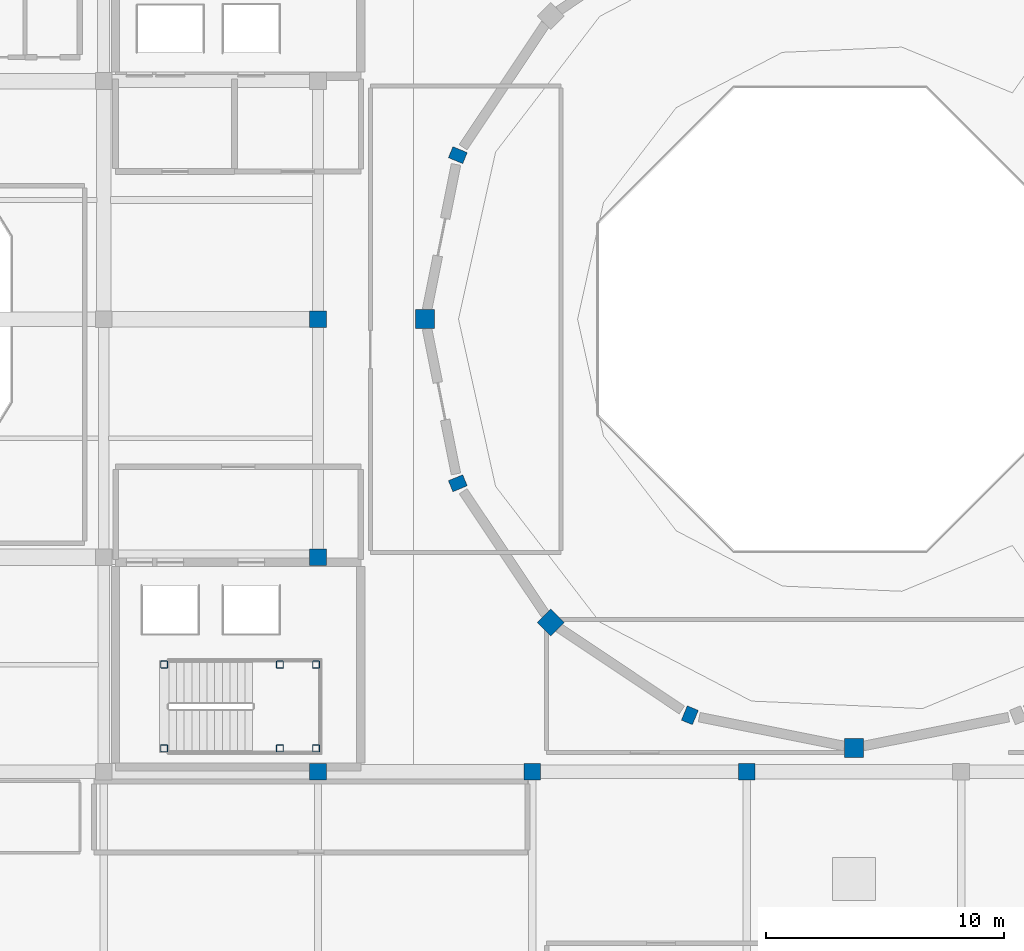
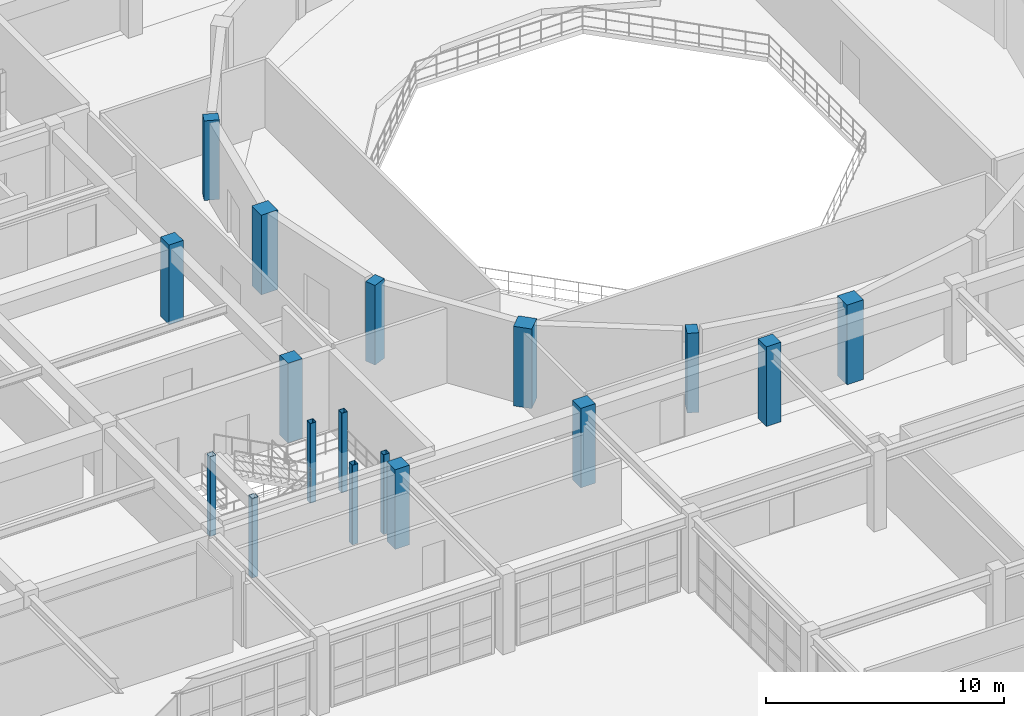
# One storey, part 2 of 110: 17 columns.
"""IFC4 building model written with IfcOpenShell, lengths in metres."""

from ifc_helpers import new_model, si_unit, direction, frame, origin, origin_2d, place, context, subcontext, project, spatial, rectangle, hollow_rectangle, extrude, material, material_profile, profile_set, type_object, element, save


model = new_model("IFC4")

# Units and contexts
model_context = context("Model", 3, precision=1e-05, world=origin(), true_north=direction((0.0, 1.0)))
body_context = subcontext(model_context, "Body", "Model", "MODEL_VIEW")
ifc_project = project(units=[si_unit("LENGTHUNIT", "METRE"), si_unit("AREAUNIT", "SQUARE_METRE"), si_unit("VOLUMEUNIT", "CUBIC_METRE"), si_unit("PLANEANGLEUNIT", "RADIAN"), si_unit("MASSUNIT", "GRAM", prefix="KILO")], contexts=[model_context])

# Site, building, storey
site_placement = place(None, origin())
site = spatial("IfcSite", under=ifc_project, at=site_placement, CompositionType="ELEMENT")
building_placement = place(site_placement, origin())
building = spatial("IfcBuilding", under=site, at=building_placement, Name="Miravela Opera House", CompositionType="ELEMENT")
storey_placement = place(building_placement, frame((0.0, 0.0, 13.60009765625)))
storey = spatial("IfcBuildingStorey", under=building, at=storey_placement, Name="L03", CompositionType="ELEMENT", Elevation=13.60009765625)

# Columns
ifc_material_1 = material(Name="Hollow structural steel ASTM A500 Gr. C", Category="steel")
ifc_material_profile_1 = material_profile(ifc_material_1, hollow_rectangle(XDim=0.300048828125, YDim=0.300048828125, WallThickness=0.01611328125, InnerFilletRadius=0.01611328125, OuterFilletRadius=0.031982421875, at=origin_2d()), Name="HSS300X300X16")
ifc_profile_set_1 = profile_set([ifc_material_profile_1])
column_type_1 = type_object("IfcColumnType", Name="STR-COL-HSS300", PredefinedType="COLUMN", material=ifc_profile_set_1)
for number, where, z_axis, x_axis, name in (
    (1, (47.5400390625, 37.97998046875, 0.0), (0.0, 0.0, 1.0), (1.0, 0.0, 0.0), "Stair K2 Landing Support Column 1 (L03)"),
    (2, (47.5400390625, 41.5, 0.0), (0.0, 0.0, 1.0), (1.0, 0.0, 0.0), "Stair K2 Landing Support Column 2 (L03)"),
    (3, (52.39990234375, 37.97998046875, 0.0), (0.0, 0.0, 1.0), (1.0, 0.0, 0.0), "Stair K2 Landing Support Column 3 (L03)"),
    (4, (52.39990234375, 41.5, 0.0), (0.0, 0.0, 1.0), (1.0, 0.0, 0.0), "Stair K2 Landing Support Column 4 (L03)"),
    (5, (53.919921875, 37.97998046875, 0.0), (0.0, 0.0, 1.0), (1.0, 0.0, 0.0), "Stair K2 Landing Support Column 5 (L03)"),
    (6, (53.919921875, 41.5, 0.0), (0.0, 0.0, 1.0), (1.0, 0.0, 0.0), "Stair K2 Landing Support Column 6 (L03)"),
):
    element("IfcColumn", number, at=place(storey_placement, frame(where, z_axis=z_axis, x_axis=x_axis)), inside=storey, type_object=column_type_1, Name=name, PredefinedType="COLUMN", context=body_context, shape_type="SweptSolid", body=[
        extrude(hollow_rectangle(XDim=0.300048828125, YDim=0.300048828125, WallThickness=0.01611328125, InnerFilletRadius=0.01611328125, OuterFilletRadius=0.031982421875, at=origin_2d()), origin(), (0.0, 0.0, 1.0), 4.079833984375),
    ])
ifc_material_2 = material(Name="Concrete C35/45", Category="concrete")
ifc_material_profile_2 = material_profile(ifc_material_2, rectangle(XDim=0.699951171875, YDim=0.699951171875, at=origin_2d()), Name="RC-COL-700X700")
ifc_profile_set_2 = profile_set([ifc_material_profile_2])
column_type_2 = type_object("IfcColumnType", Name="STR-COL-RC700", PredefinedType="COLUMN", material=ifc_profile_set_2)
for number, where, z_axis, x_axis, name in (
    (7, (54.0, 37.0, 0.0), (0.0, 0.0, 1.0), (1.0, 0.0, 0.0), "Column C-7E (L03)"),
    (8, (54.0, 46.0, 0.0), (0.0, 0.0, 1.0), (1.0, 0.0, 0.0), "Column C-7F (L03)"),
    (9, (54.0, 56.0, 0.0), (0.0, 0.0, 1.0), (1.0, 0.0, 0.0), "Column C-7G (L03)"),
    (10, (63.0, 37.0, 0.0), (0.0, 0.0, 1.0), (1.0, 0.0, 0.0), "Column C-8E (L03)"),
    (11, (72.0, 37.0, 0.0), (0.0, 0.0, 1.0), (1.0, 0.0, 0.0), "Column C-9E (L03)"),
):
    element("IfcColumn", number, at=place(storey_placement, frame(where, z_axis=z_axis, x_axis=x_axis)), inside=storey, type_object=column_type_2, Name=name, PredefinedType="COLUMN", context=body_context, shape_type="SweptSolid", body=[
        extrude(rectangle(XDim=0.699951171875, YDim=0.699951171875, at=origin_2d()), origin(), (0.0, 0.0, 1.0), 4.079833984375),
    ])
ifc_material_profile_3 = material_profile(ifc_material_2, rectangle(XDim=0.64990234375, YDim=0.5, at=origin_2d()), Name="RC-PIL-650X500")
ifc_profile_set_3 = profile_set([ifc_material_profile_3])
column_type_3 = type_object("IfcColumnType", Name="STR-PIL-RC650X500", PredefinedType="PILASTER", material=ifc_profile_set_3)
for number, where, z_axis, x_axis, name in (
    (12, (59.8701171875, 62.88818359375, 0.0), (0.0, 0.0, 1.0), (-0.923879532511, 0.382683432365, 0.0), "Auditorium Drum Column DC-08 (L03)"),
    (13, (59.8701171875, 49.11181640625, 0.0), (0.0, 0.0, 1.0), (-0.923879532511, -0.382683432365, 0.0), "Auditorium Drum Column DC-10 (L03)"),
    (14, (69.61181640625, 39.3701171875, 0.0), (0.0, 0.0, 1.0), (-0.382683432365, -0.923879532511, 0.0), "Auditorium Drum Column DC-12 (L03)"),
):
    element("IfcColumn", number, at=place(storey_placement, frame(where, z_axis=z_axis, x_axis=x_axis)), inside=storey, type_object=column_type_3, Name=name, PredefinedType="PILASTER", context=body_context, shape_type="SweptSolid", body=[
        extrude(rectangle(XDim=0.64990234375, YDim=0.5, at=origin_2d()), origin(), (0.0, 0.0, 1.0), 4.079833984375),
    ])
ifc_material_3 = material(Name="Concrete C40/50", Category="concrete")
ifc_material_profile_4 = material_profile(ifc_material_3, rectangle(XDim=0.800048828125, YDim=0.800048828125, at=origin_2d()), Name="RC-COL-800X800")
ifc_profile_set_4 = profile_set([ifc_material_profile_4])
column_type_4 = type_object("IfcColumnType", Name="STR-PIL-RC800", PredefinedType="PILASTER", material=ifc_profile_set_4)
for number, where, z_axis, x_axis, name in (
    (15, (58.5, 56.0, 0.0), (0.0, 0.0, 1.0), (-1.0, 0.0, 0.0), "Auditorium Drum Column DC-09 (L03)"),
    (16, (63.772216796875, 43.272216796875, 0.0), (0.0, 0.0, 1.0), (-0.707106781187, -0.707106781187, 0.0), "Auditorium Drum Column DC-11 (L03)"),
    (17, (76.5, 38.0, 0.0), (0.0, 0.0, 1.0), (0.0, -1.0, 0.0), "Auditorium Drum Column DC-13 (L03)"),
):
    element("IfcColumn", number, at=place(storey_placement, frame(where, z_axis=z_axis, x_axis=x_axis)), inside=storey, type_object=column_type_4, Name=name, PredefinedType="PILASTER", context=body_context, shape_type="SweptSolid", body=[
        extrude(rectangle(XDim=0.800048828125, YDim=0.800048828125, at=origin_2d()), origin(), (0.0, 0.0, 1.0), 4.079833984375),
    ])

save(model, "model.ifc")
